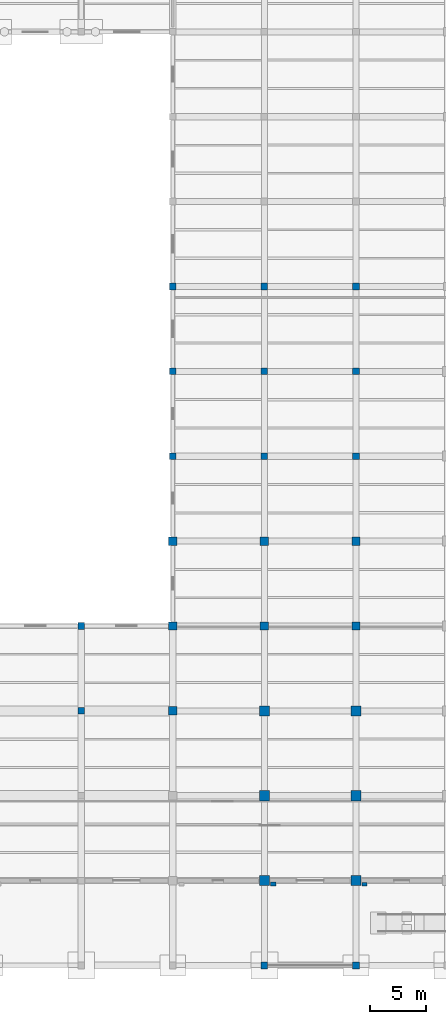
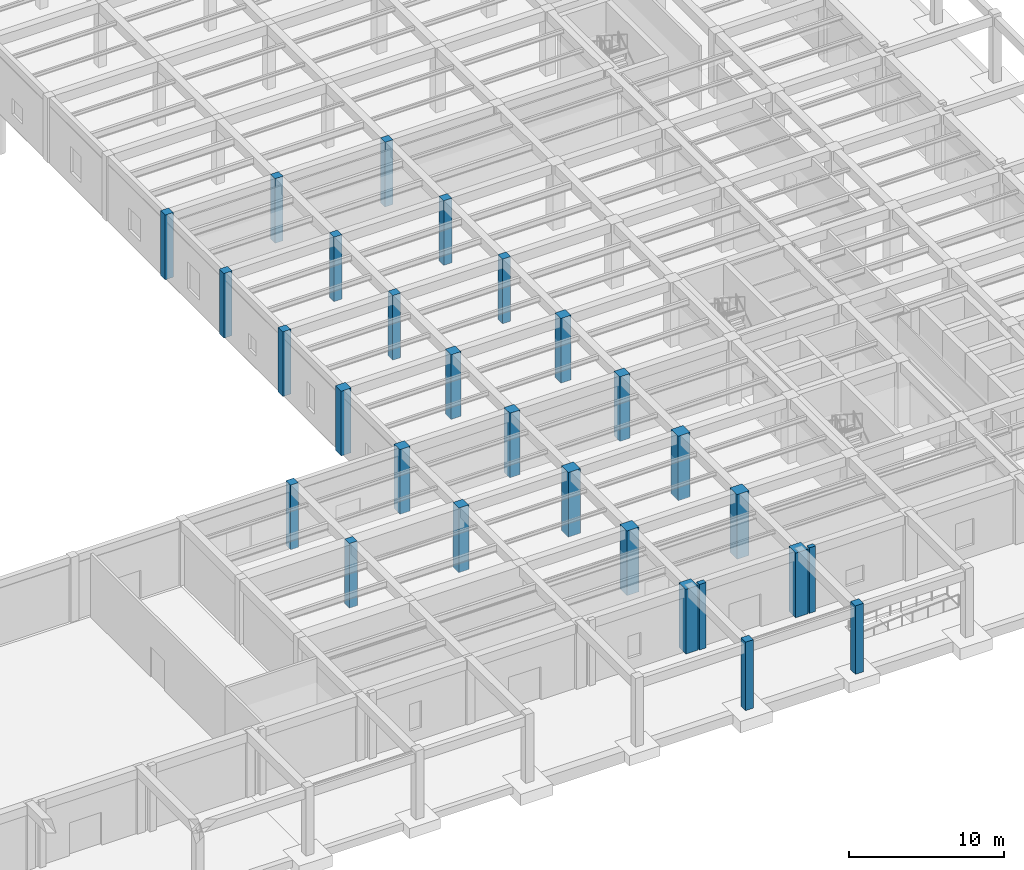
# One storey, part 8 of 64: 28 columns.
"""IFC4 building model written with IfcOpenShell, lengths in metres."""

from ifc_helpers import new_model, si_unit, direction, frame, origin, origin_2d, place, context, subcontext, project, spatial, rectangle, extrude, material, material_profile, profile_set, type_object, element, save


model = new_model("IFC4")

# Units and contexts
model_context = context("Model", 3, precision=1e-05, world=origin(), true_north=direction((0.0, 1.0)))
body_context = subcontext(model_context, "Body", "Model", "MODEL_VIEW")
ifc_project = project(units=[si_unit("LENGTHUNIT", "METRE"), si_unit("AREAUNIT", "SQUARE_METRE"), si_unit("VOLUMEUNIT", "CUBIC_METRE"), si_unit("PLANEANGLEUNIT", "RADIAN"), si_unit("MASSUNIT", "GRAM", prefix="KILO")], contexts=[model_context])

# Site, building, storey
site_placement = place(None, origin())
site = spatial("IfcSite", under=ifc_project, at=site_placement, CompositionType="ELEMENT")
building_placement = place(site_placement, origin())
building = spatial("IfcBuilding", under=site, at=building_placement, Name="Qandaris Square Conservatory and Botanical Centre", CompositionType="ELEMENT")
storey_placement = place(building_placement, origin())
storey = spatial("IfcBuildingStorey", under=building, at=storey_placement, Name="L00", CompositionType="ELEMENT", Elevation=0.0)

# Columns
ifc_material_1 = material(Name="Concrete C50/60", Category="concrete")
ifc_material_profile_1 = material_profile(ifc_material_1, rectangle(XDim=0.449951171875, YDim=0.300048828125, at=origin_2d()), Name="RC-PIL 450x300")
ifc_profile_set_1 = profile_set([ifc_material_profile_1], Name="Concrete C50/60")
column_type_1 = type_object("IfcColumnType", Name="Engaged Prairie Pilaster 450x300", PredefinedType="PILASTER", material=ifc_profile_set_1)
column_1_placement = place(storey_placement, frame((131.780029296875, 16.280029296875, 0.0), z_axis=(0.0, 0.0, 1.0), x_axis=(1.0, 0.0, 0.0)))
element("IfcColumn", 1, at=column_1_placement, inside=storey, type_object=column_type_1, Name="Prairie Pilaster 08 (L00)", PredefinedType="PILASTER", context=body_context, shape_type="SweptSolid", body=[
    extrude(rectangle(XDim=0.449951171875, YDim=0.300048828125, at=origin_2d()), origin(), (0.0, 0.0, 1.0), 5.175048828125),
])
ifc_material_profile_2 = material_profile(ifc_material_1, rectangle(XDim=0.5, YDim=0.35009765625, at=origin_2d()), Name="RC-PIL 500x350")
ifc_profile_set_2 = profile_set([ifc_material_profile_2], Name="Concrete C50/60")
column_type_2 = type_object("IfcColumnType", Name="Engaged Prairie Pilaster 500x350", PredefinedType="PILASTER", material=ifc_profile_set_2)
column_2_placement = place(storey_placement, frame((123.580078125, 16.280029296875, 0.0), z_axis=(0.0, 0.0, 1.0), x_axis=(1.0, 0.0, 0.0)))
element("IfcColumn", 2, at=column_2_placement, inside=storey, type_object=column_type_2, Name="Prairie Pilaster 07 (L00)", PredefinedType="PILASTER", context=body_context, shape_type="SweptSolid", body=[
    extrude(rectangle(XDim=0.5, YDim=0.35009765625, at=origin_2d()), origin(), (0.0, 0.0, 1.0), 5.175048828125),
])
ifc_material_2 = material(Name="Concrete C40/50", Category="concrete")
ifc_material_profile_3 = material_profile(ifc_material_2, rectangle(XDim=0.60009765625, YDim=0.60009765625, at=origin_2d()), Name="RC-COL 600x600")
ifc_profile_set_3 = profile_set([ifc_material_profile_3], Name="Concrete C40/50")
column_type_3 = type_object("IfcColumnType", Name="RC Column 600x600", PredefinedType="COLUMN", material=ifc_profile_set_3)
for number, where, z_axis, x_axis, name in (
    (3, (106.39990234375, 31.800048828125, 0.0), (0.0, 0.0, 1.0), (1.0, 0.0, 0.0), "Column D13 (L00)"),
    (4, (106.39990234375, 39.39990234375, 0.0), (0.0, 0.0, 1.0), (1.0, 0.0, 0.0), "Column E13 (L00)"),
    (5, (114.60009765625, 54.60009765625, 0.0), (0.0, 0.0, 1.0), (1.0, 0.0, 0.0), "Column G14 (L00)"),
    (6, (114.60009765625, 62.199951171875, 0.0), (0.0, 0.0, 1.0), (1.0, 0.0, 0.0), "Column H14 (L00)"),
    (7, (114.60009765625, 69.800048828125, 0.0), (0.0, 0.0, 1.0), (1.0, 0.0, 0.0), "Column J14 (L00)"),
):
    element("IfcColumn", number, at=place(storey_placement, frame(where, z_axis=z_axis, x_axis=x_axis)), inside=storey, type_object=column_type_3, Name=name, PredefinedType="COLUMN", context=body_context, shape_type="SweptSolid", body=[
        extrude(rectangle(XDim=0.60009765625, YDim=0.60009765625, at=origin_2d()), origin(), (0.0, 0.0, 1.0), 5.10009765625),
    ])
column_3_placement = place(storey_placement, frame((122.800048828125, 9.0, 0.0), z_axis=(0.0, 0.0, 1.0), x_axis=(1.0, 0.0, 0.0)))
element("IfcColumn", 8, at=column_3_placement, inside=storey, type_object=column_type_3, Name="Column A15 (L00)", PredefinedType="COLUMN", context=body_context, shape_type="SweptSolid", body=[
    extrude(rectangle(XDim=0.60009765625, YDim=0.60009765625, at=origin_2d()), origin(), (0.0, 0.0, 1.0), 5.39990234375),
])
for number, where, z_axis, x_axis, name in (
    (9, (122.800048828125, 54.60009765625, 0.0), (0.0, 0.0, 1.0), (1.0, 0.0, 0.0), "Column G15 (L00)"),
    (10, (122.800048828125, 62.199951171875, 0.0), (0.0, 0.0, 1.0), (1.0, 0.0, 0.0), "Column H15 (L00)"),
    (11, (122.800048828125, 69.800048828125, 0.0), (0.0, 0.0, 1.0), (1.0, 0.0, 0.0), "Column J15 (L00)"),
):
    element("IfcColumn", number, at=place(storey_placement, frame(where, z_axis=z_axis, x_axis=x_axis)), inside=storey, type_object=column_type_3, Name=name, PredefinedType="COLUMN", context=body_context, shape_type="SweptSolid", body=[
        extrude(rectangle(XDim=0.60009765625, YDim=0.60009765625, at=origin_2d()), origin(), (0.0, 0.0, 1.0), 5.10009765625),
    ])
column_4_placement = place(storey_placement, frame((131.0, 9.0, 0.0), z_axis=(0.0, 0.0, 1.0), x_axis=(1.0, 0.0, 0.0)))
element("IfcColumn", 12, at=column_4_placement, inside=storey, type_object=column_type_3, Name="Column A16 (L00)", PredefinedType="COLUMN", context=body_context, shape_type="SweptSolid", body=[
    extrude(rectangle(XDim=0.60009765625, YDim=0.60009765625, at=origin_2d()), origin(), (0.0, 0.0, 1.0), 5.39990234375),
])
for number, where, z_axis, x_axis, name in (
    (13, (131.0, 54.60009765625, 0.0), (0.0, 0.0, 1.0), (1.0, 0.0, 0.0), "Column G16 (L00)"),
    (14, (131.0, 62.199951171875, 0.0), (0.0, 0.0, 1.0), (1.0, 0.0, 0.0), "Column H16 (L00)"),
    (15, (131.0, 69.800048828125, 0.0), (0.0, 0.0, 1.0), (1.0, 0.0, 0.0), "Column J16 (L00)"),
):
    element("IfcColumn", number, at=place(storey_placement, frame(where, z_axis=z_axis, x_axis=x_axis)), inside=storey, type_object=column_type_3, Name=name, PredefinedType="COLUMN", context=body_context, shape_type="SweptSolid", body=[
        extrude(rectangle(XDim=0.60009765625, YDim=0.60009765625, at=origin_2d()), origin(), (0.0, 0.0, 1.0), 5.10009765625),
    ])
ifc_material_profile_4 = material_profile(ifc_material_1, rectangle(XDim=0.75, YDim=0.75, at=origin_2d()), Name="RC-COL 750x750")
ifc_profile_set_4 = profile_set([ifc_material_profile_4], Name="Concrete C50/60")
column_type_4 = type_object("IfcColumnType", Name="RC Column 750x750", PredefinedType="COLUMN", material=ifc_profile_set_4)
for number, where, z_axis, x_axis, name in (
    (16, (114.60009765625, 31.800048828125, 0.0), (0.0, 0.0, 1.0), (1.0, 0.0, 0.0), "Column D14 (L00)"),
    (17, (114.60009765625, 39.39990234375, 0.0), (0.0, 0.0, 1.0), (1.0, 0.0, 0.0), "Column E14 (L00)"),
    (18, (114.60009765625, 47.0, 0.0), (0.0, 0.0, 1.0), (1.0, 0.0, 0.0), "Column F14 (L00)"),
    (19, (122.800048828125, 39.39990234375, 0.0), (0.0, 0.0, 1.0), (1.0, 0.0, 0.0), "Column E15 (L00)"),
    (20, (122.800048828125, 47.0, 0.0), (0.0, 0.0, 1.0), (1.0, 0.0, 0.0), "Column F15 (L00)"),
    (21, (131.0, 39.39990234375, 0.0), (0.0, 0.0, 1.0), (1.0, 0.0, 0.0), "Column E16 (L00)"),
    (22, (131.0, 47.0, 0.0), (0.0, 0.0, 1.0), (1.0, 0.0, 0.0), "Column F16 (L00)"),
):
    element("IfcColumn", number, at=place(storey_placement, frame(where, z_axis=z_axis, x_axis=x_axis)), inside=storey, type_object=column_type_4, Name=name, PredefinedType="COLUMN", context=body_context, shape_type="SweptSolid", body=[
        extrude(rectangle(XDim=0.75, YDim=0.75, at=origin_2d()), origin(), (0.0, 0.0, 1.0), 5.10009765625),
    ])
ifc_material_profile_5 = material_profile(ifc_material_1, rectangle(XDim=0.89990234375, YDim=0.89990234375, at=origin_2d()), Name="RC-COL 900x900")
ifc_profile_set_5 = profile_set([ifc_material_profile_5], Name="Concrete C50/60")
column_type_5 = type_object("IfcColumnType", Name="RC Column 900x900", PredefinedType="COLUMN", material=ifc_profile_set_5)
for number, where, z_axis, x_axis, name in (
    (23, (122.800048828125, 16.60009765625, 0.0), (0.0, 0.0, 1.0), (1.0, 0.0, 0.0), "Column B15 (L00)"),
    (24, (122.800048828125, 24.199951171875, 0.0), (0.0, 0.0, 1.0), (1.0, 0.0, 0.0), "Column C15 (L00)"),
    (25, (122.800048828125, 31.800048828125, 0.0), (0.0, 0.0, 1.0), (1.0, 0.0, 0.0), "Column D15 (L00)"),
    (26, (131.0, 16.60009765625, 0.0), (0.0, 0.0, 1.0), (1.0, 0.0, 0.0), "Column B16 (L00)"),
    (27, (131.0, 24.199951171875, 0.0), (0.0, 0.0, 1.0), (1.0, 0.0, 0.0), "Column C16 (L00)"),
    (28, (131.0, 31.800048828125, 0.0), (0.0, 0.0, 1.0), (1.0, 0.0, 0.0), "Column D16 (L00)"),
):
    element("IfcColumn", number, at=place(storey_placement, frame(where, z_axis=z_axis, x_axis=x_axis)), inside=storey, type_object=column_type_5, Name=name, PredefinedType="COLUMN", context=body_context, shape_type="SweptSolid", body=[
        extrude(rectangle(XDim=0.89990234375, YDim=0.89990234375, at=origin_2d()), origin(), (0.0, 0.0, 1.0), 5.10009765625),
    ])

save(model, "model.ifc")
